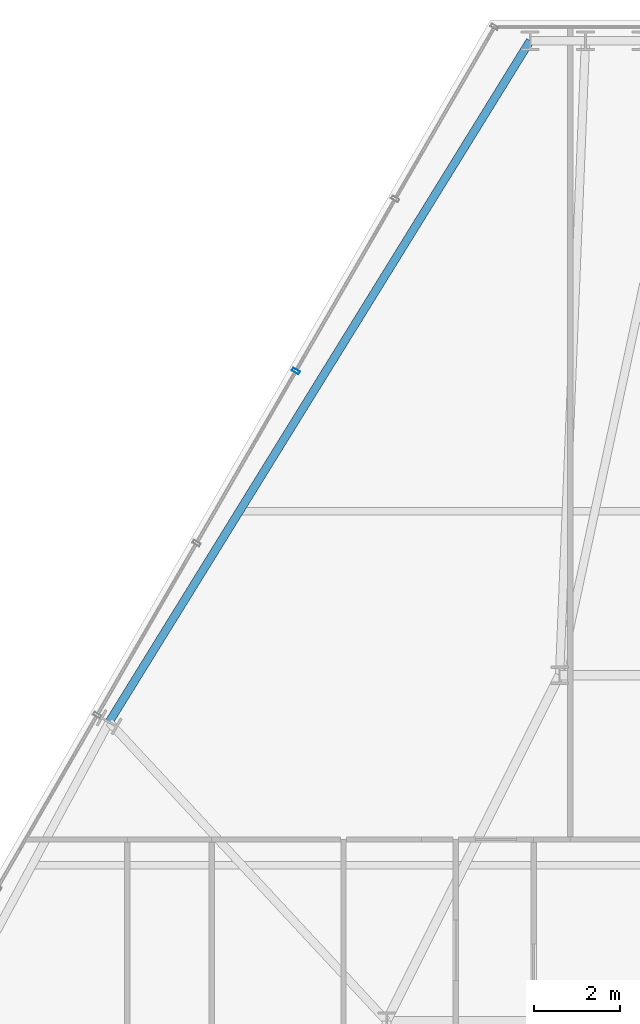
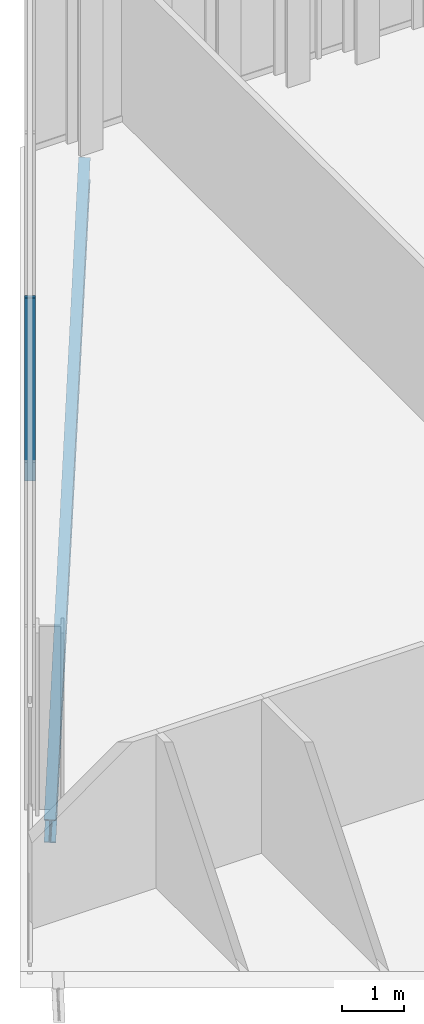
# One storey, part 21 of 33: 1 beam, 1 member, 1 element without a shape of its own.
"""IFC4 building model written with IfcOpenShell, lengths in metres."""

from ifc_helpers import new_model, si_unit, direction, frame, origin, origin_2d, place, context, subcontext, project, spatial, hollow_rectangle, i_section, extrude, material, layer, layer_set, material_profile, profile_set, type_object, element, aggregate, save


model = new_model("IFC4")

# Units and contexts
model_context = context("Model", 3, precision=1e-05, world=origin(), true_north=direction((0.0, 1.0)))
body_context = subcontext(model_context, "Body", "Model", "MODEL_VIEW")
ifc_project = project(units=[si_unit("LENGTHUNIT", "METRE"), si_unit("AREAUNIT", "SQUARE_METRE"), si_unit("VOLUMEUNIT", "CUBIC_METRE"), si_unit("PLANEANGLEUNIT", "RADIAN"), si_unit("MASSUNIT", "GRAM", prefix="KILO")], contexts=[model_context])

# Site, building, storey
site_placement = place(None, origin())
site = spatial("IfcSite", under=ifc_project, at=site_placement, CompositionType="ELEMENT")
building_placement = place(site_placement, origin())
building = spatial("IfcBuilding", under=site, at=building_placement, Name="Ndaravel Arena Tower", CompositionType="ELEMENT")
storey_placement = place(building_placement, frame((0.0, 0.0, 165.0)))
storey = spatial("IfcBuildingStorey", under=building, at=storey_placement, Name="L39", CompositionType="ELEMENT", Elevation=165.0)

# Beam
ifc_material_1 = material(Name="Steel S355", Category="steel")
ifc_material_profile_1 = material_profile(ifc_material_1, i_section(OverallWidth=0.18994140625, OverallDepth=0.449951171875, WebThickness=0.009521484375, FlangeThickness=0.0146484375, FilletRadius=0.02099609375, at=origin_2d()), Name="IPE 450")
ifc_profile_set_1 = profile_set([ifc_material_profile_1], Name="Steel S355")
beam_type = type_object("IfcBeamType", Name="BM-SPAN-IPE450", PredefinedType="SPANDREL", material=ifc_profile_set_1)
beam_placement = place(storey_placement, frame((37.519775390625, 45.881591796875, -0.445068359375), z_axis=(-0.525677399695, -0.850684002112, 0.0), x_axis=(0.850684002112, -0.525677399695, 0.0)))
element("IfcBeam", 1, at=beam_placement, inside=storey, type_object=beam_type, Name="L39 Perimeter Spandrel Beam SP-18", PredefinedType="SPANDREL", context=body_context, shape_type="SweptSolid", body=[
    extrude(i_section(OverallWidth=0.18994140625, OverallDepth=0.449951171875, WebThickness=0.009521484375, FlangeThickness=0.0146484375, FilletRadius=0.02099609375, at=origin_2d()), origin(), (0.0, 0.0, 1.0), 18.533935546875),
])

# Curtain wall, member
ifc_material_2 = material(Name="Aluminium", Category="aluminium")
ifc_layer = layer(ifc_material_2, 0.179931640625)
ifc_layer_set = layer_set([ifc_layer], Name="Aluminium")
curtain_wall_type = type_object("IfcCurtainWallType", Name="CW-SYS-03", PredefinedType="NOTDEFINED", material=ifc_layer_set)
curtain_wall_placement = place(storey_placement, origin())
curtain_wall = element("IfcCurtainWall", 2, at=curtain_wall_placement, inside=storey, type_object=curtain_wall_type, Name="L39 Faceted Crystal Curtain Wall CW-L39-E05", PredefinedType="NOTDEFINED")
ifc_material_3 = material(Name="Aluminium", Category="aluminium")
ifc_material_profile_2 = material_profile(ifc_material_3, hollow_rectangle(XDim=0.074951171875, YDim=0.179931640625, WallThickness=0.00390625, at=origin_2d()), Name="CW MULLION 75x180x4")
ifc_profile_set_2 = profile_set([ifc_material_profile_2], Name="Aluminium")
member_type = type_object("IfcMemberType", Name="MEM-CW-MUL180", PredefinedType="MULLION", material=ifc_profile_set_2)
member_placement = place(storey_placement, frame((32.097412109375, 38.23828125, 0.0), z_axis=(0.0, 0.0, 1.0), x_axis=(-0.5, -0.866025403784, 0.0)))
member = element("IfcMember", 3, at=member_placement, type_object=member_type, Name="CW-L39-E05 Mullion 02", PredefinedType="MULLION", context=body_context, shape_type="SweptSolid", body=[
    extrude(hollow_rectangle(XDim=0.074951171875, YDim=0.179931640625, WallThickness=0.00390625, at=origin_2d()), origin(), (0.0, 0.0, 1.0), 3.580078125),
])
aggregate(curtain_wall, [member])

save(model, "model.ifc")
